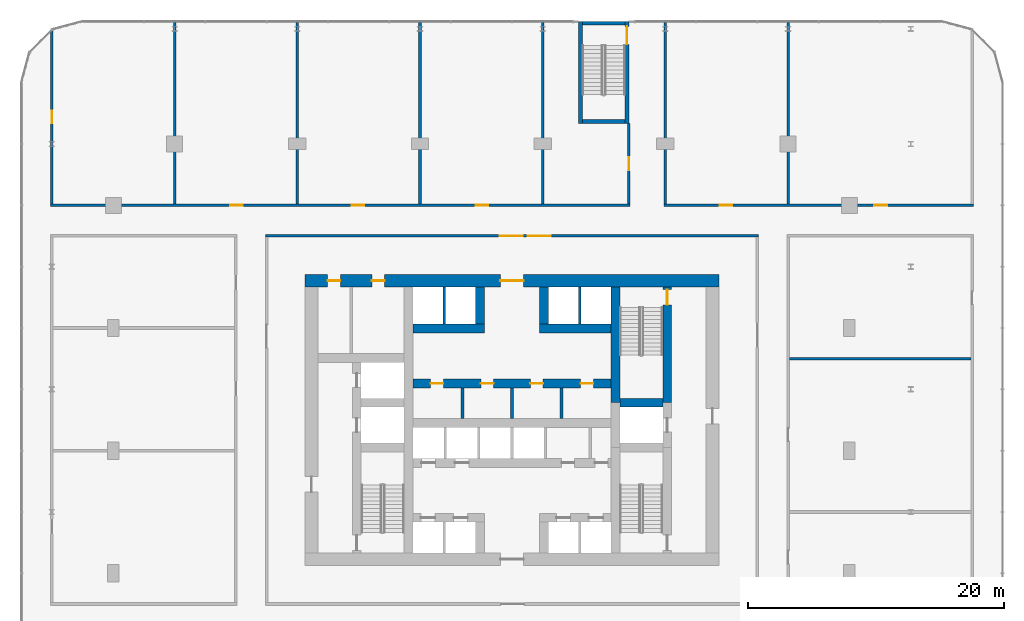
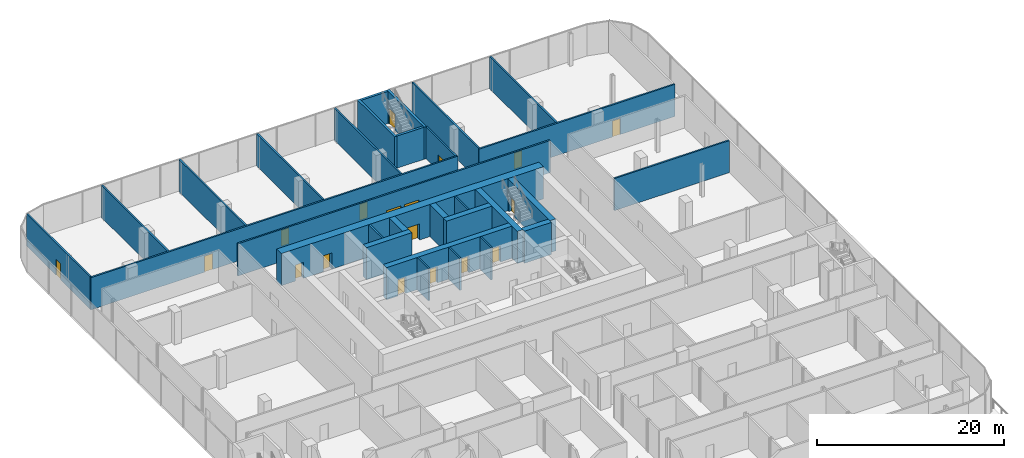
# One storey, part 34 of 43: 30 walls, 18 doors, 18 openings.
"""IFC4 building model written with IfcOpenShell, lengths in metres."""

from ifc_helpers import new_model, si_unit, direction, frame, frame_2d, origin, place, context, subcontext, project, spatial, rectangle, extrude, material, layer, layer_set, type_object, element, fill, save


model = new_model("IFC4")

# Units and contexts
model_context = context("Model", 3, precision=1e-05, world=origin(), true_north=direction((0.0, 1.0)))
body_context = subcontext(model_context, "Body", "Model", "MODEL_VIEW")
ifc_project = project(units=[si_unit("LENGTHUNIT", "METRE"), si_unit("AREAUNIT", "SQUARE_METRE"), si_unit("VOLUMEUNIT", "CUBIC_METRE"), si_unit("PLANEANGLEUNIT", "RADIAN"), si_unit("MASSUNIT", "GRAM", prefix="KILO")], contexts=[model_context])

# Site, building, storey
site_placement = place(None, origin())
site = spatial("IfcSite", under=ifc_project, at=site_placement, CompositionType="ELEMENT")
building_placement = place(site_placement, origin())
building = spatial("IfcBuilding", under=site, at=building_placement, Name="Madar Terraces", CompositionType="ELEMENT")
storey_placement = place(building_placement, frame((0.0, 0.0, 10.5)))
storey = spatial("IfcBuildingStorey", under=building, at=storey_placement, Name="L02", CompositionType="ELEMENT", Elevation=10.5)

# Wall
ifc_material_1 = material(Name="Concrete C80/95", Category="concrete")
ifc_layer_1 = layer(ifc_material_1, 0.699951171875)
ifc_layer_set_1 = layer_set([ifc_layer_1], Name="Concrete C80/95 (CIW1 RC wall 700)")
wall_type_1 = type_object("IfcWallType", Name="CIW1 RC wall 700", PredefinedType="SHEAR", material=ifc_layer_set_1)
wall_1_placement = place(storey_placement, frame((39.300048828125, 27.75, 0.0), z_axis=(0.0, 0.0, 1.0), x_axis=(0.0, 1.0, 0.0)))
element("IfcWall", 1, at=wall_1_placement, inside=storey, type_object=wall_type_1, Name="CORE SHAFT WALL", PredefinedType="SHEAR", context=body_context, shape_type="SweptSolid", body=[
    extrude(rectangle(XDim=9.050048828125, YDim=0.699951171875, at=frame_2d((4.52490234375, 0.0))), origin(), (0.0, 0.0, 1.0), 4.199951171875),
])

# Wall, opening, door
wall_2_placement = place(storey_placement, frame((43.35009765625, 27.75, 0.0), z_axis=(0.0, 0.0, 1.0), x_axis=(0.0, 1.0, 0.0)))
wall_2 = element("IfcWall", 2, at=wall_2_placement, inside=storey, type_object=wall_type_1, Name="CORE SHAFT WALL", PredefinedType="SHEAR", context=body_context, shape_type="SweptSolid", body=[
    extrude(rectangle(XDim=9.050048828125, YDim=0.699951171875, at=frame_2d((4.52490234375, 0.0))), origin(), (0.0, 0.0, 1.0), 4.199951171875),
])
opening_1_placement = place(wall_2_placement, frame((7.64990234375, 0.0, 0.0)))
opening_1 = element("IfcOpeningElement", 3, at=opening_1_placement, cuts=wall_2, Name="Opening SD1", PredefinedType="OPENING", context=body_context, shape_type="SweptSolid", body=[
    extrude(rectangle(XDim=1.199951171875, YDim=2.10009765625, at=frame_2d((0.60009765625, 1.050048828125))), frame((0.0, 0.35986328125, 0.0), z_axis=(0.0, -1.0, 0.0), x_axis=(1.0, 0.0, 0.0)), (0.0, 0.0, 1.0), 0.719970703125),
])
ifc_material_2 = material(Name="Steel door leaf", Category="steel")
door_type_1 = type_object("IfcDoorType", Name="Stair door 1200 x 2100", OperationType="NOTDEFINED", PredefinedType="DOOR", material=ifc_material_2)
door_1_placement = place(opening_1_placement, origin())
door_1 = element("IfcDoor", 4, at=door_1_placement, inside=storey, type_object=door_type_1, Name="STAIR DOOR", OperationType="SINGLE_SWING_RIGHT", OverallHeight=2.10009765625, OverallWidth=1.199951171875, PredefinedType="DOOR", context=body_context, shape_type="SweptSolid", body=[
    extrude(rectangle(XDim=1.199951171875, YDim=2.10009765625, at=frame_2d((0.60009765625, 1.050048828125))), frame((0.0, 0.02490234375, 0.0), z_axis=(0.0, -1.0, 0.0), x_axis=(1.0, 0.0, 0.0)), (0.0, 0.0, 1.0), 0.050048828125),
])
fill(opening_1, door_1)

# Wall
wall_3_placement = place(storey_placement, frame((39.64990234375, 27.75, 0.0), z_axis=(0.0, 0.0, 1.0), x_axis=(1.0, 0.0, 0.0)))
element("IfcWall", 5, at=wall_3_placement, inside=storey, type_object=wall_type_1, Name="CORE SHAFT WALL", PredefinedType="SHEAR", context=body_context, shape_type="SweptSolid", body=[
    extrude(rectangle(XDim=3.35009765625, YDim=0.699951171875, at=frame_2d((1.675048828125, 0.0))), origin(), (0.0, 0.0, 1.0), 4.199951171875),
])

# Wall, openings, doors
wall_4_placement = place(storey_placement, frame((23.449951171875, 29.25, 0.0), z_axis=(0.0, 0.0, 1.0), x_axis=(1.0, 0.0, 0.0)))
wall_4 = element("IfcWall", 6, at=wall_4_placement, inside=storey, type_object=wall_type_1, Name="CORE SHAFT WALL", PredefinedType="SHEAR", context=body_context, shape_type="SweptSolid", body=[
    extrude(rectangle(XDim=15.5, YDim=0.699951171875, at=frame_2d((7.75, 0.0))), origin(), (0.0, 0.0, 1.0), 4.199951171875),
])
opening_2_placement = place(wall_4_placement, frame((1.387451171875, 0.0, 0.0)))
opening_2 = element("IfcOpeningElement", 7, at=opening_2_placement, cuts=wall_4, Name="Opening KD2", PredefinedType="OPENING", context=body_context, shape_type="SweptSolid", body=[
    extrude(rectangle(XDim=1.0, YDim=2.10009765625, at=frame_2d((0.5, 1.050048828125))), frame((0.0, 0.35986328125, 0.0), z_axis=(0.0, -1.0, 0.0), x_axis=(1.0, 0.0, 0.0)), (0.0, 0.0, 1.0), 0.719970703125),
])
opening_3_placement = place(wall_4_placement, frame((5.3125, 0.0, 0.0)))
opening_3 = element("IfcOpeningElement", 8, at=opening_3_placement, cuts=wall_4, Name="Opening KD2", PredefinedType="OPENING", context=body_context, shape_type="SweptSolid", body=[
    extrude(rectangle(XDim=1.0, YDim=2.10009765625, at=frame_2d((0.5, 1.050048828125))), frame((0.0, 0.35986328125, 0.0), z_axis=(0.0, -1.0, 0.0), x_axis=(1.0, 0.0, 0.0)), (0.0, 0.0, 1.0), 0.719970703125),
])
opening_4_placement = place(wall_4_placement, frame((9.1875, 0.0, 0.0)))
opening_4 = element("IfcOpeningElement", 9, at=opening_4_placement, cuts=wall_4, Name="Opening KD2", PredefinedType="OPENING", context=body_context, shape_type="SweptSolid", body=[
    extrude(rectangle(XDim=1.0, YDim=2.10009765625, at=frame_2d((0.5, 1.050048828125))), frame((0.0, 0.35986328125, 0.0), z_axis=(0.0, -1.0, 0.0), x_axis=(1.0, 0.0, 0.0)), (0.0, 0.0, 1.0), 0.719970703125),
])
opening_5_placement = place(wall_4_placement, frame((13.112548828125, 0.0, 0.0)))
opening_5 = element("IfcOpeningElement", 10, at=opening_5_placement, cuts=wall_4, Name="Opening KD2", PredefinedType="OPENING", context=body_context, shape_type="SweptSolid", body=[
    extrude(rectangle(XDim=1.0, YDim=2.10009765625, at=frame_2d((0.5, 1.050048828125))), frame((0.0, 0.35986328125, 0.0), z_axis=(0.0, -1.0, 0.0), x_axis=(1.0, 0.0, 0.0)), (0.0, 0.0, 1.0), 0.719970703125),
])
ifc_material_3 = material(Name="Steel door leaf", Category="steel")
door_type_2 = type_object("IfcDoorType", Name="Service room door 1000 x 2100", OperationType="NOTDEFINED", PredefinedType="DOOR", material=ifc_material_3)
door_2_placement = place(opening_2_placement, origin())
door_2 = element("IfcDoor", 11, at=door_2_placement, inside=storey, type_object=door_type_2, Name="SERVICE ROOM DOOR", OperationType="SINGLE_SWING_LEFT", OverallHeight=2.10009765625, OverallWidth=1.0, PredefinedType="DOOR", context=body_context, shape_type="SweptSolid", body=[
    extrude(rectangle(XDim=1.0, YDim=2.10009765625, at=frame_2d((0.5, 1.050048828125))), frame((0.0, 0.02490234375, 0.0), z_axis=(0.0, -1.0, 0.0), x_axis=(1.0, 0.0, 0.0)), (0.0, 0.0, 1.0), 0.050048828125),
])
fill(opening_2, door_2)
door_3_placement = place(opening_3_placement, origin())
door_3 = element("IfcDoor", 12, at=door_3_placement, inside=storey, type_object=door_type_2, Name="SERVICE ROOM DOOR", OperationType="SINGLE_SWING_RIGHT", OverallHeight=2.10009765625, OverallWidth=1.0, PredefinedType="DOOR", context=body_context, shape_type="SweptSolid", body=[
    extrude(rectangle(XDim=1.0, YDim=2.10009765625, at=frame_2d((0.5, 1.050048828125))), frame((0.0, 0.02490234375, 0.0), z_axis=(0.0, -1.0, 0.0), x_axis=(1.0, 0.0, 0.0)), (0.0, 0.0, 1.0), 0.050048828125),
])
fill(opening_3, door_3)
door_4_placement = place(opening_4_placement, origin())
door_4 = element("IfcDoor", 13, at=door_4_placement, inside=storey, type_object=door_type_2, Name="SERVICE ROOM DOOR", OperationType="SINGLE_SWING_LEFT", OverallHeight=2.10009765625, OverallWidth=1.0, PredefinedType="DOOR", context=body_context, shape_type="SweptSolid", body=[
    extrude(rectangle(XDim=1.0, YDim=2.10009765625, at=frame_2d((0.5, 1.050048828125))), frame((0.0, 0.02490234375, 0.0), z_axis=(0.0, -1.0, 0.0), x_axis=(1.0, 0.0, 0.0)), (0.0, 0.0, 1.0), 0.050048828125),
])
fill(opening_4, door_4)
door_5_placement = place(opening_5_placement, origin())
door_5 = element("IfcDoor", 14, at=door_5_placement, inside=storey, type_object=door_type_2, Name="SERVICE ROOM DOOR", OperationType="SINGLE_SWING_RIGHT", OverallHeight=2.10009765625, OverallWidth=1.0, PredefinedType="DOOR", context=body_context, shape_type="SweptSolid", body=[
    extrude(rectangle(XDim=1.0, YDim=2.10009765625, at=frame_2d((0.5, 1.050048828125))), frame((0.0, 0.02490234375, 0.0), z_axis=(0.0, -1.0, 0.0), x_axis=(1.0, 0.0, 0.0)), (0.0, 0.0, 1.0), 0.050048828125),
])
fill(opening_5, door_5)

# Walls
wall_5_placement = place(storey_placement, frame((23.449951171875, 33.550048828125, 0.0), z_axis=(0.0, 0.0, 1.0), x_axis=(1.0, 0.0, 0.0)))
element("IfcWall", 15, at=wall_5_placement, inside=storey, type_object=wall_type_1, Name="CORE SHAFT WALL", PredefinedType="SHEAR", context=body_context, shape_type="SweptSolid", body=[
    extrude(rectangle(XDim=5.60009765625, YDim=0.699951171875, at=frame_2d((2.800048828125, 0.0))), origin(), (0.0, 0.0, 1.0), 4.199951171875),
])
wall_6_placement = place(storey_placement, frame((33.35009765625, 33.550048828125, 0.0), z_axis=(0.0, 0.0, 1.0), x_axis=(1.0, 0.0, 0.0)))
element("IfcWall", 16, at=wall_6_placement, inside=storey, type_object=wall_type_1, Name="CORE SHAFT WALL", PredefinedType="SHEAR", context=body_context, shape_type="SweptSolid", body=[
    extrude(rectangle(XDim=5.599853515625, YDim=0.699951171875, at=frame_2d((2.7998046875, 0.0))), origin(), (0.0, 0.0, 1.0), 4.199951171875),
])
for number, where, z_axis, x_axis, name in (
    (17, (28.699951171875, 33.89990234375, 0.0), (0.0, 0.0, 1.0), (0.0, 1.0, 0.0), "CORE SHAFT WALL"),
    (18, (33.699951171875, 33.89990234375, 0.0), (0.0, 0.0, 1.0), (0.0, 1.0, 0.0), "CORE SHAFT WALL"),
):
    element("IfcWall", number, at=place(storey_placement, frame(where, z_axis=z_axis, x_axis=x_axis)), inside=storey, type_object=wall_type_1, Name=name, PredefinedType="SHEAR", context=body_context, shape_type="SweptSolid", body=[
        extrude(rectangle(XDim=2.900146484375, YDim=0.699951171875, at=frame_2d((1.4501953125, 0.0))), origin(), (0.0, 0.0, 1.0), 4.199951171875),
    ])

# Wall, openings, doors
ifc_material_4 = material(Name="Concrete C80/95", Category="concrete")
ifc_layer_2 = layer(ifc_material_4, 1.0)
ifc_layer_set_2 = layer_set([ifc_layer_2], Name="Concrete C80/95 (CRW1 RC wall 1000)")
wall_type_2 = type_object("IfcWallType", Name="CRW1 RC wall 1000", PredefinedType="SHEAR", material=ifc_layer_set_2)
wall_7_placement = place(storey_placement, frame((15.0, 37.300048828125, 0.0), z_axis=(0.0, 0.0, 1.0), x_axis=(1.0, 0.0, 0.0)))
wall_7 = element("IfcWall", 19, at=wall_7_placement, inside=storey, type_object=wall_type_2, Name="CORE OUTER WALL", PredefinedType="SHEAR", context=body_context, shape_type="SweptSolid", body=[
    extrude(rectangle(XDim=32.39990234375, YDim=1.0, at=frame_2d((16.199951171875, 0.0))), origin(), (0.0, 0.0, 1.0), 4.199951171875),
])
opening_6_placement = place(wall_7_placement, frame((15.300048828125, 0.0, 0.0)))
opening_6 = element("IfcOpeningElement", 20, at=opening_6_placement, cuts=wall_7, Name="Opening KD1", PredefinedType="OPENING", context=body_context, shape_type="SweptSolid", body=[
    extrude(rectangle(XDim=1.800048828125, YDim=2.10009765625, at=frame_2d((0.89990234375, 1.050048828125))), frame((0.0, 0.510009765625, 0.0), z_axis=(0.0, -1.0, 0.0), x_axis=(1.0, 0.0, 0.0)), (0.0, 0.0, 1.0), 1.02001953125),
])
opening_7_placement = place(wall_7_placement, frame((1.766357421875, 0.0, 0.0)))
opening_7 = element("IfcOpeningElement", 21, at=opening_7_placement, cuts=wall_7, Name="Opening KD2", PredefinedType="OPENING", context=body_context, shape_type="SweptSolid", body=[
    extrude(rectangle(XDim=1.0, YDim=2.10009765625, at=frame_2d((0.5, 1.050048828125))), frame((0.0, 0.510009765625, 0.0), z_axis=(0.0, -1.0, 0.0), x_axis=(1.0, 0.0, 0.0)), (0.0, 0.0, 1.0), 1.02001953125),
])
opening_8_placement = place(wall_7_placement, frame((5.2412109375, 0.0, 0.0)))
opening_8 = element("IfcOpeningElement", 22, at=opening_8_placement, cuts=wall_7, Name="Opening KD2", PredefinedType="OPENING", context=body_context, shape_type="SweptSolid", body=[
    extrude(rectangle(XDim=1.0, YDim=2.10009765625, at=frame_2d((0.5, 1.050048828125))), frame((0.0, 0.510009765625, 0.0), z_axis=(0.0, -1.0, 0.0), x_axis=(1.0, 0.0, 0.0)), (0.0, 0.0, 1.0), 1.02001953125),
])
ifc_material_5 = material(Name="Steel door leaf", Category="steel")
door_type_3 = type_object("IfcDoorType", Name="Lobby door pair 1800 x 2100", OperationType="DOUBLE_DOOR_SINGLE_SWING", PredefinedType="DOOR", material=ifc_material_5)
door_6_placement = place(opening_6_placement, origin())
door_6 = element("IfcDoor", 23, at=door_6_placement, inside=storey, type_object=door_type_3, Name="LIFT LOBBY DOOR", OperationType="DOUBLE_DOOR_SINGLE_SWING", OverallHeight=2.10009765625, OverallWidth=1.800048828125, PredefinedType="DOOR", context=body_context, shape_type="SweptSolid", body=[
    extrude(rectangle(XDim=1.800048828125, YDim=2.10009765625, at=frame_2d((0.89990234375, 1.050048828125))), frame((0.0, 0.02490234375, 0.0), z_axis=(0.0, -1.0, 0.0), x_axis=(1.0, 0.0, 0.0)), (0.0, 0.0, 1.0), 0.050048828125),
])
fill(opening_6, door_6)
door_7_placement = place(opening_7_placement, origin())
door_7 = element("IfcDoor", 24, at=door_7_placement, inside=storey, type_object=door_type_2, Name="SERVICE ROOM DOOR", OperationType="SINGLE_SWING_LEFT", OverallHeight=2.10009765625, OverallWidth=1.0, PredefinedType="DOOR", context=body_context, shape_type="SweptSolid", body=[
    extrude(rectangle(XDim=1.0, YDim=2.10009765625, at=frame_2d((0.5, 1.050048828125))), frame((0.0, 0.02490234375, 0.0), z_axis=(0.0, -1.0, 0.0), x_axis=(1.0, 0.0, 0.0)), (0.0, 0.0, 1.0), 0.050048828125),
])
fill(opening_7, door_7)
door_8_placement = place(opening_8_placement, origin())
door_8 = element("IfcDoor", 25, at=door_8_placement, inside=storey, type_object=door_type_2, Name="SERVICE ROOM DOOR", OperationType="SINGLE_SWING_RIGHT", OverallHeight=2.10009765625, OverallWidth=1.0, PredefinedType="DOOR", context=body_context, shape_type="SweptSolid", body=[
    extrude(rectangle(XDim=1.0, YDim=2.10009765625, at=frame_2d((0.5, 1.050048828125))), frame((0.0, 0.02490234375, 0.0), z_axis=(0.0, -1.0, 0.0), x_axis=(1.0, 0.0, 0.0)), (0.0, 0.0, 1.0), 0.050048828125),
])
fill(opening_8, door_8)

# Walls
ifc_material_6 = material(Name="Masonry blockwork", Category="masonry")
ifc_layer_3 = layer(ifc_material_6, 0.199951171875)
ifc_layer_set_3 = layer_set([ifc_layer_3], Name="Core partition 200 blockwork")
wall_type_3 = type_object("IfcWallType", Name="Core partition 200 blockwork", PredefinedType="PARTITIONING", material=ifc_layer_set_3)
for number, where, z_axis, x_axis, name in (
    (26, (27.324951171875, 26.5, 0.0), (0.0, 0.0, 1.0), (0.0, 1.0, 0.0), "SERVICE ROOM PARTITION"),
    (27, (31.199951171875, 26.5, 0.0), (0.0, 0.0, 1.0), (0.0, 1.0, 0.0), "SERVICE ROOM PARTITION"),
    (28, (35.074951171875, 26.5, 0.0), (0.0, 0.0, 1.0), (0.0, 1.0, 0.0), "SERVICE ROOM PARTITION"),
):
    element("IfcWall", number, at=place(storey_placement, frame(where, z_axis=z_axis, x_axis=x_axis)), inside=storey, type_object=wall_type_3, Name=name, PredefinedType="PARTITIONING", context=body_context, shape_type="SweptSolid", body=[
        extrude(rectangle(XDim=2.39990234375, YDim=0.199951171875, at=frame_2d((1.199951171875, 0.0))), origin(), (0.0, 0.0, 1.0), 4.199951171875),
    ])
ifc_material_7 = material(Name="Concrete C40/50", Category="concrete")
ifc_layer_4 = layer(ifc_material_7, 0.199951171875)
ifc_layer_set_4 = layer_set([ifc_layer_4], Name="Core shaft dividing wall 200 C40/50")
wall_type_4 = type_object("IfcWallType", Name="Core shaft dividing wall 200 C40/50", PredefinedType="SOLIDWALL", material=ifc_layer_set_4)
for number, where, z_axis, x_axis, name in (
    (29, (25.89990234375, 33.89990234375, 0.0), (0.0, 0.0, 1.0), (0.0, 1.0, 0.0), "SHAFT DIVIDING WALL"),
    (30, (36.5, 33.89990234375, 0.0), (0.0, 0.0, 1.0), (0.0, 1.0, 0.0), "SHAFT DIVIDING WALL"),
):
    element("IfcWall", number, at=place(storey_placement, frame(where, z_axis=z_axis, x_axis=x_axis)), inside=storey, type_object=wall_type_4, Name=name, PredefinedType="SOLIDWALL", context=body_context, shape_type="SweptSolid", body=[
        extrude(rectangle(XDim=2.900146484375, YDim=0.199951171875, at=frame_2d((1.4501953125, 0.0))), origin(), (0.0, 0.0, 1.0), 4.199951171875),
    ])
ifc_material_8 = material(Name="Gypsum board partition, fire-rated")
ifc_layer_5 = layer(ifc_material_8, 0.199951171875)
ifc_layer_set_5 = layer_set([ifc_layer_5], Name="Partition 200 EI 60")
wall_type_5 = type_object("IfcWallType", Name="Partition 200 EI 60", PredefinedType="PARTITIONING", material=ifc_layer_set_5)
wall_8_placement = place(storey_placement, frame((52.89990234375, 31.199951171875, 0.0), z_axis=(0.0, 0.0, 1.0), x_axis=(1.0, 0.0, 0.0)))
element("IfcWall", 31, at=wall_8_placement, inside=storey, type_object=wall_type_5, Name="Wall OFFICE / CLEANERS STORE", PredefinedType="PARTITIONING", context=body_context, shape_type="SweptSolid", body=[
    extrude(rectangle(XDim=14.2001953125, YDim=0.199951171875, at=frame_2d((7.10009765625, 0.0))), origin(), (0.0, 0.0, 1.0), 4.199951171875),
])

# Wall, openings, doors
wall_9_placement = place(storey_placement, frame((50.5, 40.800048828125, 0.0), z_axis=(0.0, 0.0, 1.0), x_axis=(-1.0, 0.0, 0.0)))
wall_9 = element("IfcWall", 32, at=wall_9_placement, inside=storey, type_object=wall_type_5, Name="Wall PODIUM CORRIDOR / RING CORRIDOR", PredefinedType="PARTITIONING", context=body_context, shape_type="SweptSolid", body=[
    extrude(rectangle(XDim=38.60009765625, YDim=0.199951171875, at=frame_2d((19.300048828125, 0.0))), origin(), (0.0, 0.0, 1.0), 4.199951171875),
])
opening_9_placement = place(wall_9_placement, frame((18.449951171875, 0.0, 0.0)))
opening_9 = element("IfcOpeningElement", 33, at=opening_9_placement, cuts=wall_9, Name="Opening D30", PredefinedType="OPENING", context=body_context, shape_type="SweptSolid", body=[
    extrude(rectangle(XDim=1.800048828125, YDim=2.10009765625, at=frame_2d((0.89990234375, 1.050048828125))), frame((0.0, 0.10986328125, 0.0), z_axis=(0.0, -1.0, 0.0), x_axis=(1.0, 0.0, 0.0)), (0.0, 0.0, 1.0), 0.219970703125),
])
opening_10_placement = place(wall_9_placement, frame((16.25, 0.0, 0.0)))
opening_10 = element("IfcOpeningElement", 34, at=opening_10_placement, cuts=wall_9, Name="Opening D30", PredefinedType="OPENING", context=body_context, shape_type="SweptSolid", body=[
    extrude(rectangle(XDim=1.800048828125, YDim=2.10009765625, at=frame_2d((0.89990234375, 1.050048828125))), frame((0.0, 0.10986328125, 0.0), z_axis=(0.0, -1.0, 0.0), x_axis=(1.0, 0.0, 0.0)), (0.0, 0.0, 1.0), 0.219970703125),
])
ifc_material_9 = material(Name="Timber door leaf, fire-rated", Category="wood")
door_type_4 = type_object("IfcDoorType", Name="Podium double door 1800 x 2100 FD30S", OperationType="DOUBLE_DOOR_SINGLE_SWING", PredefinedType="DOOR", material=ifc_material_9)
door_9_placement = place(opening_9_placement, origin())
door_9 = element("IfcDoor", 35, at=door_9_placement, inside=storey, type_object=door_type_4, Name="Door PODIUM CORRIDOR / RING CORRIDOR", OperationType="DOUBLE_DOOR_SINGLE_SWING", OverallHeight=2.10009765625, OverallWidth=1.800048828125, PredefinedType="DOOR", context=body_context, shape_type="SweptSolid", body=[
    extrude(rectangle(XDim=1.800048828125, YDim=2.10009765625, at=frame_2d((0.89990234375, 1.050048828125))), frame((0.0, 0.02490234375, 0.0), z_axis=(0.0, -1.0, 0.0), x_axis=(1.0, 0.0, 0.0)), (0.0, 0.0, 1.0), 0.050048828125),
])
fill(opening_9, door_9)
door_10_placement = place(opening_10_placement, origin())
door_10 = element("IfcDoor", 36, at=door_10_placement, inside=storey, type_object=door_type_4, Name="Door PODIUM CORRIDOR / RING CORRIDOR", OperationType="DOUBLE_DOOR_SINGLE_SWING", OverallHeight=2.10009765625, OverallWidth=1.800048828125, PredefinedType="DOOR", context=body_context, shape_type="SweptSolid", body=[
    extrude(rectangle(XDim=1.800048828125, YDim=2.10009765625, at=frame_2d((0.89990234375, 1.050048828125))), frame((0.0, 0.02490234375, 0.0), z_axis=(0.0, -1.0, 0.0), x_axis=(1.0, 0.0, 0.0)), (0.0, 0.0, 1.0), 0.050048828125),
])
fill(opening_10, door_10)

wall_10_placement = place(storey_placement, frame((-4.89990234375, 43.199951171875, 0.0), z_axis=(0.0, 0.0, 1.0), x_axis=(1.0, 0.0, 0.0)))
wall_10 = element("IfcWall", 37, at=wall_10_placement, inside=storey, type_object=wall_type_5, Name="Wall OFFICE + STAFF ROOM", PredefinedType="PARTITIONING", context=body_context, shape_type="SweptSolid", body=[
    extrude(rectangle(XDim=45.349853515625, YDim=0.199951171875, at=frame_2d((22.6748046875, 0.0))), origin(), (0.0, 0.0, 1.0), 4.199951171875),
])
opening_11_placement = place(wall_10_placement, frame((14.050048828125, 0.0, 0.0)))
opening_11 = element("IfcOpeningElement", 38, at=opening_11_placement, cuts=wall_10, Name="Opening D31", PredefinedType="OPENING", context=body_context, shape_type="SweptSolid", body=[
    extrude(rectangle(XDim=1.0, YDim=2.10009765625, at=frame_2d((0.5, 1.050048828125))), frame((0.0, 0.10986328125, 0.0), z_axis=(0.0, -1.0, 0.0), x_axis=(1.0, 0.0, 0.0)), (0.0, 0.0, 1.0), 0.219970703125),
])
opening_12_placement = place(wall_10_placement, frame((23.550048828125, 0.0, 0.0)))
opening_12 = element("IfcOpeningElement", 39, at=opening_12_placement, cuts=wall_10, Name="Opening D31", PredefinedType="OPENING", context=body_context, shape_type="SweptSolid", body=[
    extrude(rectangle(XDim=1.0, YDim=2.10009765625, at=frame_2d((0.5, 1.050048828125))), frame((0.0, 0.10986328125, 0.0), z_axis=(0.0, -1.0, 0.0), x_axis=(1.0, 0.0, 0.0)), (0.0, 0.0, 1.0), 0.219970703125),
])
opening_13_placement = place(wall_10_placement, frame((33.25, 0.0, 0.0)))
opening_13 = element("IfcOpeningElement", 40, at=opening_13_placement, cuts=wall_10, Name="Opening D31", PredefinedType="OPENING", context=body_context, shape_type="SweptSolid", body=[
    extrude(rectangle(XDim=1.0, YDim=2.10009765625, at=frame_2d((0.5, 1.050048828125))), frame((0.0, 0.10986328125, 0.0), z_axis=(0.0, -1.0, 0.0), x_axis=(1.0, 0.0, 0.0)), (0.0, 0.0, 1.0), 0.219970703125),
])
ifc_material_10 = material(Name="Timber door leaf, fire-rated", Category="wood")
door_type_5 = type_object("IfcDoorType", Name="Podium door 1000 x 2100 FD30S", OperationType="NOTDEFINED", PredefinedType="DOOR", material=ifc_material_10)
door_11_placement = place(opening_11_placement, origin())
door_11 = element("IfcDoor", 41, at=door_11_placement, inside=storey, type_object=door_type_5, Name="Door STAFF ROOM / PODIUM CORRIDOR", OperationType="SINGLE_SWING_RIGHT", OverallHeight=2.10009765625, OverallWidth=1.0, PredefinedType="DOOR", context=body_context, shape_type="SweptSolid", body=[
    extrude(rectangle(XDim=1.0, YDim=2.10009765625, at=frame_2d((0.5, 1.050048828125))), frame((0.0, 0.02490234375, 0.0), z_axis=(0.0, -1.0, 0.0), x_axis=(1.0, 0.0, 0.0)), (0.0, 0.0, 1.0), 0.050048828125),
])
fill(opening_11, door_11)
door_12_placement = place(opening_12_placement, origin())
door_12 = element("IfcDoor", 42, at=door_12_placement, inside=storey, type_object=door_type_5, Name="Door OFFICE / PODIUM CORRIDOR", OperationType="SINGLE_SWING_LEFT", OverallHeight=2.10009765625, OverallWidth=1.0, PredefinedType="DOOR", context=body_context, shape_type="SweptSolid", body=[
    extrude(rectangle(XDim=1.0, YDim=2.10009765625, at=frame_2d((0.5, 1.050048828125))), frame((0.0, 0.02490234375, 0.0), z_axis=(0.0, -1.0, 0.0), x_axis=(1.0, 0.0, 0.0)), (0.0, 0.0, 1.0), 0.050048828125),
])
fill(opening_12, door_12)
door_13_placement = place(opening_13_placement, origin())
door_13 = element("IfcDoor", 43, at=door_13_placement, inside=storey, type_object=door_type_5, Name="Door OFFICE / PODIUM CORRIDOR", OperationType="SINGLE_SWING_RIGHT", OverallHeight=2.10009765625, OverallWidth=1.0, PredefinedType="DOOR", context=body_context, shape_type="SweptSolid", body=[
    extrude(rectangle(XDim=1.0, YDim=2.10009765625, at=frame_2d((0.5, 1.050048828125))), frame((0.0, 0.02490234375, 0.0), z_axis=(0.0, -1.0, 0.0), x_axis=(1.0, 0.0, 0.0)), (0.0, 0.0, 1.0), 0.050048828125),
])
fill(opening_13, door_13)

wall_11_placement = place(storey_placement, frame((43.10009765625, 43.199951171875, 0.0), z_axis=(0.0, 0.0, 1.0), x_axis=(1.0, 0.0, 0.0)))
wall_11 = element("IfcWall", 44, at=wall_11_placement, inside=storey, type_object=wall_type_5, Name="Wall LINEN STORE + OFFICE", PredefinedType="PARTITIONING", context=body_context, shape_type="SweptSolid", body=[
    extrude(rectangle(XDim=24.199951171875, YDim=0.199951171875, at=frame_2d((12.10009765625, 0.0))), origin(), (0.0, 0.0, 1.0), 4.199951171875),
])
opening_14_placement = place(wall_11_placement, frame((4.35009765625, 0.0, 0.0)))
opening_14 = element("IfcOpeningElement", 45, at=opening_14_placement, cuts=wall_11, Name="Opening D31", PredefinedType="OPENING", context=body_context, shape_type="SweptSolid", body=[
    extrude(rectangle(XDim=1.0, YDim=2.10009765625, at=frame_2d((0.5, 1.050048828125))), frame((0.0, 0.10986328125, 0.0), z_axis=(0.0, -1.0, 0.0), x_axis=(1.0, 0.0, 0.0)), (0.0, 0.0, 1.0), 0.219970703125),
])
opening_15_placement = place(wall_11_placement, frame((16.449951171875, 0.0, 0.0)))
opening_15 = element("IfcOpeningElement", 46, at=opening_15_placement, cuts=wall_11, Name="Opening D31", PredefinedType="OPENING", context=body_context, shape_type="SweptSolid", body=[
    extrude(rectangle(XDim=1.0, YDim=2.10009765625, at=frame_2d((0.5, 1.050048828125))), frame((0.0, 0.10986328125, 0.0), z_axis=(0.0, -1.0, 0.0), x_axis=(1.0, 0.0, 0.0)), (0.0, 0.0, 1.0), 0.219970703125),
])
door_14_placement = place(opening_14_placement, origin())
door_14 = element("IfcDoor", 47, at=door_14_placement, inside=storey, type_object=door_type_5, Name="Door OFFICE / PODIUM CORRIDOR", OperationType="SINGLE_SWING_RIGHT", OverallHeight=2.10009765625, OverallWidth=1.0, PredefinedType="DOOR", context=body_context, shape_type="SweptSolid", body=[
    extrude(rectangle(XDim=1.0, YDim=2.10009765625, at=frame_2d((0.5, 1.050048828125))), frame((0.0, 0.02490234375, 0.0), z_axis=(0.0, -1.0, 0.0), x_axis=(1.0, 0.0, 0.0)), (0.0, 0.0, 1.0), 0.050048828125),
])
fill(opening_14, door_14)
door_15_placement = place(opening_15_placement, origin())
door_15 = element("IfcDoor", 48, at=door_15_placement, inside=storey, type_object=door_type_5, Name="Door LINEN STORE / PODIUM CORRIDOR", OperationType="SINGLE_SWING_LEFT", OverallHeight=2.10009765625, OverallWidth=1.0, PredefinedType="DOOR", context=body_context, shape_type="SweptSolid", body=[
    extrude(rectangle(XDim=1.0, YDim=2.10009765625, at=frame_2d((0.5, 1.050048828125))), frame((0.0, 0.02490234375, 0.0), z_axis=(0.0, -1.0, 0.0), x_axis=(1.0, 0.0, 0.0)), (0.0, 0.0, 1.0), 0.050048828125),
])
fill(opening_15, door_15)

# Wall, opening, door
wall_12_placement = place(storey_placement, frame((-4.800048828125, 56.860107421875, 0.0), z_axis=(0.0, 0.0, 1.0), x_axis=(0.0, -1.0, 0.0)))
wall_12 = element("IfcWall", 49, at=wall_12_placement, inside=storey, type_object=wall_type_5, Name="Wall OFFICE / PODIUM CORRIDOR", PredefinedType="PARTITIONING", context=body_context, shape_type="SweptSolid", body=[
    extrude(rectangle(XDim=13.56005859375, YDim=0.199951171875, at=frame_2d((6.780029296875, 0.0))), origin(), (0.0, 0.0, 1.0), 4.199951171875),
])
opening_16_placement = place(wall_12_placement, frame((6.25, 0.0, 0.0)))
opening_16 = element("IfcOpeningElement", 50, at=opening_16_placement, cuts=wall_12, Name="Opening D31", PredefinedType="OPENING", context=body_context, shape_type="SweptSolid", body=[
    extrude(rectangle(XDim=1.0, YDim=2.10009765625, at=frame_2d((0.5, 1.050048828125))), frame((0.0, 0.10986328125, 0.0), z_axis=(0.0, -1.0, 0.0), x_axis=(1.0, 0.0, 0.0)), (0.0, 0.0, 1.0), 0.219970703125),
])
door_16_placement = place(opening_16_placement, origin())
door_16 = element("IfcDoor", 51, at=door_16_placement, inside=storey, type_object=door_type_5, Name="Door OFFICE / PODIUM CORRIDOR", OperationType="SINGLE_SWING_LEFT", OverallHeight=2.10009765625, OverallWidth=1.0, PredefinedType="DOOR", context=body_context, shape_type="SweptSolid", body=[
    extrude(rectangle(XDim=1.0, YDim=2.10009765625, at=frame_2d((0.5, 1.050048828125))), frame((0.0, 0.02490234375, 0.0), z_axis=(0.0, -1.0, 0.0), x_axis=(1.0, 0.0, 0.0)), (0.0, 0.0, 1.0), 0.050048828125),
])
fill(opening_16, door_16)

# Walls
for number, where, z_axis, x_axis, name in (
    (52, (4.800048828125, 43.300048828125, 0.0), (0.0, 0.0, 1.0), (0.0, 1.0, 0.0), "Wall OFFICE / STAFF ROOM"),
    (53, (14.39990234375, 43.300048828125, 0.0), (0.0, 0.0, 1.0), (0.0, 1.0, 0.0), "Wall STAFF ROOM / OFFICE"),
    (54, (24.0, 43.300048828125, 0.0), (0.0, 0.0, 1.0), (0.0, 1.0, 0.0), "Wall OFFICE / OFFICE"),
    (55, (33.60009765625, 43.300048828125, 0.0), (0.0, 0.0, 1.0), (0.0, 1.0, 0.0), "Wall OFFICE / OFFICE"),
):
    element("IfcWall", number, at=place(storey_placement, frame(where, z_axis=z_axis, x_axis=x_axis)), inside=storey, type_object=wall_type_5, Name=name, PredefinedType="PARTITIONING", context=body_context, shape_type="SweptSolid", body=[
        extrude(rectangle(XDim=14.199951171875, YDim=0.199951171875, at=frame_2d((7.10009765625, 0.0))), origin(), (0.0, 0.0, 1.0), 4.199951171875),
    ])

# Wall, opening, door
wall_13_placement = place(storey_placement, frame((40.35009765625, 43.300048828125, 0.0), z_axis=(0.0, 0.0, 1.0), x_axis=(0.0, 1.0, 0.0)))
wall_13 = element("IfcWall", 56, at=wall_13_placement, inside=storey, type_object=wall_type_5, Name="Wall OFFICE / PODIUM CORRIDOR", PredefinedType="PARTITIONING", context=body_context, shape_type="SweptSolid", body=[
    extrude(rectangle(XDim=6.300048828125, YDim=0.199951171875, at=frame_2d((3.14990234375, 0.0))), origin(), (0.0, 0.0, 1.0), 4.199951171875),
])
opening_17_placement = place(wall_13_placement, frame((2.64990234375, 0.0, 0.0)))
opening_17 = element("IfcOpeningElement", 57, at=opening_17_placement, cuts=wall_13, Name="Opening D31", PredefinedType="OPENING", context=body_context, shape_type="SweptSolid", body=[
    extrude(rectangle(XDim=1.0, YDim=2.10009765625, at=frame_2d((0.5, 1.050048828125))), frame((0.0, 0.10986328125, 0.0), z_axis=(0.0, -1.0, 0.0), x_axis=(1.0, 0.0, 0.0)), (0.0, 0.0, 1.0), 0.219970703125),
])
door_17_placement = place(opening_17_placement, origin())
door_17 = element("IfcDoor", 58, at=door_17_placement, inside=storey, type_object=door_type_5, Name="Door OFFICE / PODIUM CORRIDOR", OperationType="SINGLE_SWING_RIGHT", OverallHeight=2.10009765625, OverallWidth=1.0, PredefinedType="DOOR", context=body_context, shape_type="SweptSolid", body=[
    extrude(rectangle(XDim=1.0, YDim=2.10009765625, at=frame_2d((0.5, 1.050048828125))), frame((0.0, 0.02490234375, 0.0), z_axis=(0.0, -1.0, 0.0), x_axis=(1.0, 0.0, 0.0)), (0.0, 0.0, 1.0), 0.050048828125),
])
fill(opening_17, door_17)

# Walls
for number, where, z_axis, x_axis, name in (
    (59, (43.199951171875, 43.300048828125, 0.0), (0.0, 0.0, 1.0), (0.0, 1.0, 0.0), "Wall OFFICE / PODIUM CORRIDOR"),
    (60, (52.800048828125, 43.300048828125, 0.0), (0.0, 0.0, 1.0), (0.0, 1.0, 0.0), "Wall OFFICE / LINEN STORE"),
):
    element("IfcWall", number, at=place(storey_placement, frame(where, z_axis=z_axis, x_axis=x_axis)), inside=storey, type_object=wall_type_5, Name=name, PredefinedType="PARTITIONING", context=body_context, shape_type="SweptSolid", body=[
        extrude(rectangle(XDim=14.199951171875, YDim=0.199951171875, at=frame_2d((7.10009765625, 0.0))), origin(), (0.0, 0.0, 1.0), 4.199951171875),
    ])
ifc_material_11 = material(Name="Concrete C40/50", Category="concrete")
ifc_layer_6 = layer(ifc_material_11, 0.300048828125)
ifc_layer_set_6 = layer_set([ifc_layer_6], Name="Podium stair wall 300 C40/50")
wall_type_6 = type_object("IfcWallType", Name="Podium stair wall 300 C40/50", PredefinedType="SOLIDWALL", material=ifc_layer_set_6)
wall_14_placement = place(storey_placement, frame((36.550048828125, 49.60009765625, 0.0), z_axis=(0.0, 0.0, 1.0), x_axis=(0.0, 1.0, 0.0)))
element("IfcWall", 61, at=wall_14_placement, inside=storey, type_object=wall_type_6, Name="PODIUM STAIR WALL", PredefinedType="SOLIDWALL", context=body_context, shape_type="SweptSolid", body=[
    extrude(rectangle(XDim=8.0, YDim=0.300048828125, at=frame_2d((4.0, 0.0))), origin(), (0.0, 0.0, 1.0), 4.199951171875),
])

# Wall, opening, door
wall_15_placement = place(storey_placement, frame((40.199951171875, 49.60009765625, 0.0), z_axis=(0.0, 0.0, 1.0), x_axis=(0.0, 1.0, 0.0)))
wall_15 = element("IfcWall", 62, at=wall_15_placement, inside=storey, type_object=wall_type_6, Name="PODIUM STAIR WALL", PredefinedType="SOLIDWALL", context=body_context, shape_type="SweptSolid", body=[
    extrude(rectangle(XDim=8.0, YDim=0.300048828125, at=frame_2d((4.0, 0.0))), origin(), (0.0, 0.0, 1.0), 4.199951171875),
])
opening_18_placement = place(wall_15_placement, frame((6.199951171875, 0.0, 0.0)))
opening_18 = element("IfcOpeningElement", 63, at=opening_18_placement, cuts=wall_15, Name="Opening PSD1", PredefinedType="OPENING", context=body_context, shape_type="SweptSolid", body=[
    extrude(rectangle(XDim=1.39990234375, YDim=2.10009765625, at=frame_2d((0.699951171875, 1.050048828125))), frame((0.0, 0.159912109375, 0.0), z_axis=(0.0, -1.0, 0.0), x_axis=(1.0, 0.0, 0.0)), (0.0, 0.0, 1.0), 0.320068359375),
])
ifc_material_12 = material(Name="Steel door leaf", Category="steel")
door_type_6 = type_object("IfcDoorType", Name="Podium stair door pair 1400 x 2100", OperationType="DOUBLE_DOOR_SINGLE_SWING", PredefinedType="DOOR", material=ifc_material_12)
door_18_placement = place(opening_18_placement, origin())
door_18 = element("IfcDoor", 64, at=door_18_placement, inside=storey, type_object=door_type_6, Name="STAIR DOOR", OperationType="DOUBLE_DOOR_SINGLE_SWING", OverallHeight=2.10009765625, OverallWidth=1.39990234375, PredefinedType="DOOR", context=body_context, shape_type="SweptSolid", body=[
    extrude(rectangle(XDim=1.39990234375, YDim=2.10009765625, at=frame_2d((0.699951171875, 1.050048828125))), frame((0.0, 0.02490234375, 0.0), z_axis=(0.0, -1.0, 0.0), x_axis=(1.0, 0.0, 0.0)), (0.0, 0.0, 1.0), 0.050048828125),
])
fill(opening_18, door_18)

# Walls
wall_16_placement = place(storey_placement, frame((36.699951171875, 49.75, 0.0), z_axis=(0.0, 0.0, 1.0), x_axis=(1.0, 0.0, 0.0)))
element("IfcWall", 65, at=wall_16_placement, inside=storey, type_object=wall_type_6, Name="PODIUM STAIR WALL", PredefinedType="SOLIDWALL", context=body_context, shape_type="SweptSolid", body=[
    extrude(rectangle(XDim=3.35009765625, YDim=0.300048828125, at=frame_2d((1.675048828125, 0.0))), origin(), (0.0, 0.0, 1.0), 4.199951171875),
])
ifc_material_13 = material(Name="Concrete C40/50", Category="concrete")
ifc_layer_7 = layer(ifc_material_13, 0.300048828125)
ifc_layer_set_7 = layer_set([ifc_layer_7], Name="Podium stair wall 300 C40/50, external")
wall_type_7 = type_object("IfcWallType", Name="Podium stair wall 300 C40/50, external", PredefinedType="SOLIDWALL", material=ifc_layer_set_7)
wall_17_placement = place(storey_placement, frame((36.699951171875, 57.449951171875, 0.0), z_axis=(0.0, 0.0, 1.0), x_axis=(1.0, 0.0, 0.0)))
element("IfcWall", 66, at=wall_17_placement, inside=storey, type_object=wall_type_7, Name="PODIUM STAIR WALL", PredefinedType="SOLIDWALL", context=body_context, shape_type="SweptSolid", body=[
    extrude(rectangle(XDim=3.35009765625, YDim=0.300048828125, at=frame_2d((1.675048828125, 0.0))), origin(), (0.0, 0.0, 1.0), 4.199951171875),
])

save(model, "model.ifc")
